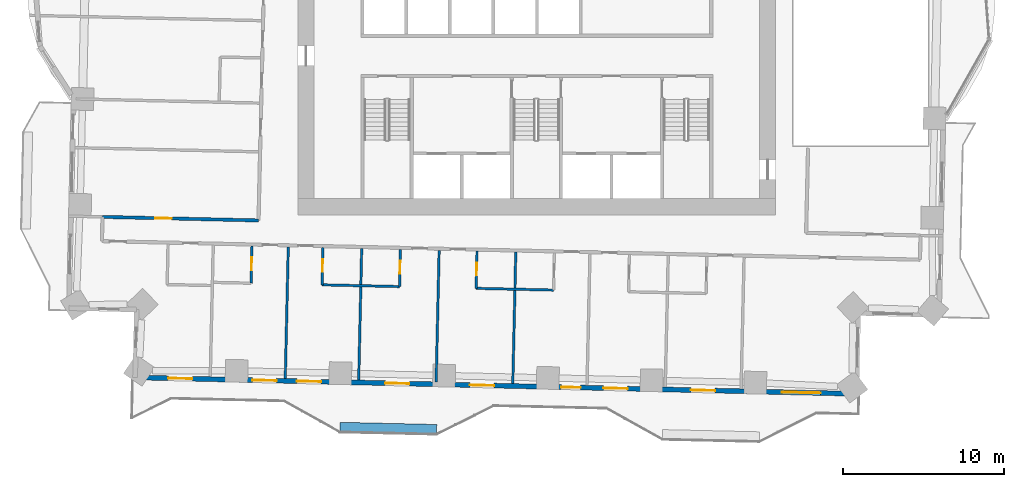
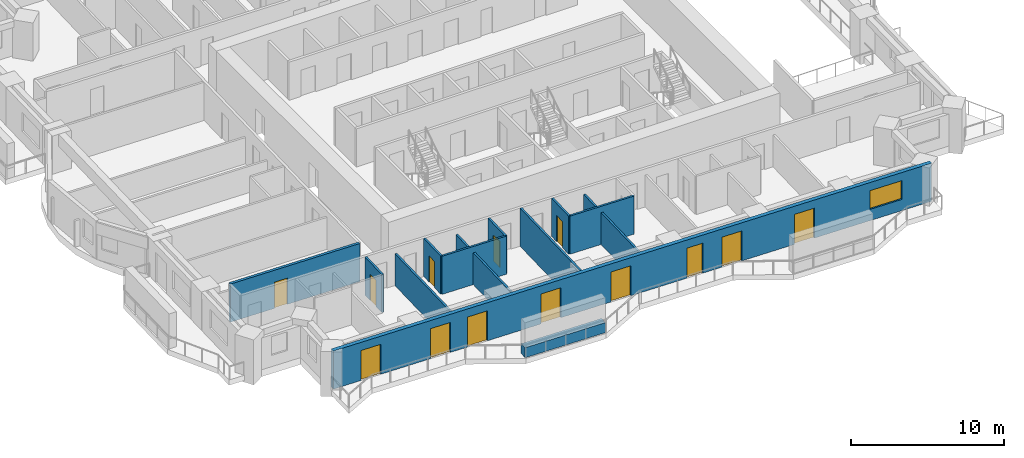
# One storey, part 6 of 16: 13 doors, 13 walls, 1 window, 14 openings.
"""IFC4 building model written with IfcOpenShell, lengths in metres."""

from ifc_helpers import new_model, si_unit, direction, frame, frame_2d, origin, place, context, subcontext, project, spatial, rectangle, extrude, material, layer, layer_set, type_object, element, fill, save


model = new_model("IFC4")

# Units and contexts
model_context = context("Model", 3, precision=1e-05, world=origin(), true_north=direction((0.0, 1.0)))
body_context = subcontext(model_context, "Body", "Model", "MODEL_VIEW")
ifc_project = project(units=[si_unit("LENGTHUNIT", "METRE"), si_unit("AREAUNIT", "SQUARE_METRE"), si_unit("VOLUMEUNIT", "CUBIC_METRE"), si_unit("PLANEANGLEUNIT", "RADIAN"), si_unit("MASSUNIT", "GRAM", prefix="KILO")], contexts=[model_context])

# Site, building, storey
site_placement = place(None, origin())
site = spatial("IfcSite", under=ifc_project, at=site_placement, CompositionType="ELEMENT")
building_placement = place(site_placement, origin())
building = spatial("IfcBuilding", under=site, at=building_placement, Name="Mangrove Gate Tower", CompositionType="ELEMENT")
storey_placement = place(building_placement, frame((0.0, 0.0, 101.89990234375)))
storey = spatial("IfcBuildingStorey", under=building, at=storey_placement, Name="L25", CompositionType="ELEMENT", Elevation=101.89990234375)

# Wall, opening, door
ifc_material_1 = material(Name="Gypsum board on steel stud, EI 60", Category="steel")
ifc_layer_1 = layer(ifc_material_1, 0.199951171875)
ifc_layer_set_1 = layer_set([ifc_layer_1], Name="Corridor wall EI 60")
wall_type_1 = type_object("IfcWallType", Name="Corridor wall EI 60", PredefinedType="PARTITIONING", material=ifc_layer_set_1)
wall_1_placement = place(storey_placement, frame((-26.9189453125, -11.928955078125, 0.0), z_axis=(0.0, 0.0, 1.0), x_axis=(0.999741418429, -0.022739751035, 0.0)))
wall_1 = element("IfcWall", 1, at=wall_1_placement, inside=storey, type_object=wall_type_1, Name="WALL-L25-026", PredefinedType="PARTITIONING", context=body_context, shape_type="SweptSolid", body=[
    extrude(rectangle(XDim=9.67333984375, YDim=0.199951171875, at=frame_2d((4.836669921875, 0.0))), origin(), (0.0, 0.0, 1.0), 3.050048828125),
])
opening_1_placement = place(wall_1_placement, frame((3.287109375, 0.0, 0.0)))
opening_1 = element("IfcOpeningElement", 2, at=opening_1_placement, cuts=wall_1, Name="Opening AD", PredefinedType="OPENING", context=body_context, shape_type="SweptSolid", body=[
    extrude(rectangle(XDim=1.0, YDim=2.10009765625, at=frame_2d((0.5, 1.050048828125))), frame((0.0, 0.10986328125, 0.0), z_axis=(0.0, -1.0, 0.0), x_axis=(1.0, 0.0, 0.0)), (0.0, 0.0, 1.0), 0.219970703125),
])
ifc_material_2 = material(Name="Timber door leaf", Category="wood")
door_type_1 = type_object("IfcDoorType", Name="Amenity door 1000", OperationType="SINGLE_SWING_LEFT", PredefinedType="DOOR", material=ifc_material_2)
door_1_placement = place(opening_1_placement, origin())
door_1 = element("IfcDoor", 3, at=door_1_placement, inside=storey, type_object=door_type_1, Name="DOOR-L25-LNG-c5a", OperationType="SINGLE_SWING_RIGHT", OverallHeight=2.10009765625, OverallWidth=1.0, PredefinedType="DOOR", context=body_context, shape_type="SweptSolid", body=[
    extrude(rectangle(XDim=1.0, YDim=2.10009765625, at=frame_2d((0.5, 1.050048828125))), frame((0.0, 0.02490234375, 0.0), z_axis=(0.0, -1.0, 0.0), x_axis=(1.0, 0.0, 0.0)), (0.0, 0.0, 1.0), 0.050048828125),
])
fill(opening_1, door_1)

# Wall, openings, doors, window
ifc_material_3 = material(Name="Limestone", Category="masonry")
ifc_layer_2 = layer(ifc_material_3, 0.0400390625, Name="Limestone cladding")
ifc_material_4 = material(Name="Ventilated air gap")
ifc_layer_3 = layer(ifc_material_4, 0.0400390625, Name="Ventilated cavity")
ifc_material_5 = material(Name="Mineral wool insulation")
ifc_layer_4 = layer(ifc_material_5, 0.06005859375, Name="Insulation")
ifc_material_6 = material(Name="Breather membrane")
ifc_layer_5 = layer(ifc_material_6, 0.001953125, Name="Breather membrane")
ifc_material_7 = material(Name="Concrete C20/25 blockwork", Category="masonry")
ifc_layer_6 = layer(ifc_material_7, 0.14990234375, Name="Blockwork backing wall")
ifc_material_8 = material(Name="Gypsum plaster")
ifc_layer_7 = layer(ifc_material_8, 0.008056640625, Name="Internal plaster")
ifc_layer_set_2 = layer_set([ifc_layer_2, ifc_layer_3, ifc_layer_4, ifc_layer_5, ifc_layer_6, ifc_layer_7], Name="External wall 300 limestone cladding")
wall_type_2 = type_object("IfcWallType", Name="External wall 300 limestone cladding", PredefinedType="SOLIDWALL", material=ifc_layer_set_2)
wall_2_placement = place(storey_placement, frame((-24.89404296875, -21.8779296875, 0.0), z_axis=(0.0, 0.0, 1.0), x_axis=(0.999742689045, -0.022683820265, 0.0)))
wall_2 = element("IfcWall", 4, at=wall_2_placement, inside=storey, type_object=wall_type_2, Name="WALL-L25-S13", PredefinedType="SOLIDWALL", context=body_context, shape_type="SweptSolid", body=[
    extrude(rectangle(XDim=44.70849609375, YDim=0.300048828125, at=frame_2d((22.354248046875, 0.0))), origin(), (0.0, 0.0, 1.0), 3.050048828125),
])
opening_2_placement = place(wall_2_placement, frame((2.051025390625, 0.0, 0.0)))
opening_2 = element("IfcOpeningElement", 5, at=opening_2_placement, cuts=wall_2, Name="Opening BD1", PredefinedType="OPENING", context=body_context, shape_type="SweptSolid", body=[
    extrude(rectangle(XDim=1.5, YDim=2.39990234375, at=frame_2d((0.75, 1.199951171875))), frame((0.0, 0.159912109375, 0.0), z_axis=(0.0, -1.0, 0.0), x_axis=(1.0, 0.0, 0.0)), (0.0, 0.0, 1.0), 0.320068359375),
])
opening_3_placement = place(wall_2_placement, frame((7.264892578125, 0.0, 0.0)))
opening_3 = element("IfcOpeningElement", 6, at=opening_3_placement, cuts=wall_2, Name="Opening BD1", PredefinedType="OPENING", context=body_context, shape_type="SweptSolid", body=[
    extrude(rectangle(XDim=1.5, YDim=2.39990234375, at=frame_2d((0.75, 1.199951171875))), frame((0.0, 0.159912109375, 0.0), z_axis=(0.0, -1.0, 0.0), x_axis=(1.0, 0.0, 0.0)), (0.0, 0.0, 1.0), 0.320068359375),
])
opening_4_placement = place(wall_2_placement, frame((10.030029296875, 0.0, 0.0)))
opening_4 = element("IfcOpeningElement", 7, at=opening_4_placement, cuts=wall_2, Name="Opening BD1", PredefinedType="OPENING", context=body_context, shape_type="SweptSolid", body=[
    extrude(rectangle(XDim=1.5, YDim=2.39990234375, at=frame_2d((0.75, 1.199951171875))), frame((0.0, 0.159912109375, 0.0), z_axis=(0.0, -1.0, 0.0), x_axis=(1.0, 0.0, 0.0)), (0.0, 0.0, 1.0), 0.320068359375),
])
opening_5_placement = place(wall_2_placement, frame((15.5, 0.0, 0.0)))
opening_5 = element("IfcOpeningElement", 8, at=opening_5_placement, cuts=wall_2, Name="Opening BD1", PredefinedType="OPENING", context=body_context, shape_type="SweptSolid", body=[
    extrude(rectangle(XDim=1.5, YDim=2.39990234375, at=frame_2d((0.75, 1.199951171875))), frame((0.0, 0.159912109375, 0.0), z_axis=(0.0, -1.0, 0.0), x_axis=(1.0, 0.0, 0.0)), (0.0, 0.0, 1.0), 0.320068359375),
])
opening_6_placement = place(wall_2_placement, frame((20.7451171875, 0.0, 0.0)))
opening_6 = element("IfcOpeningElement", 9, at=opening_6_placement, cuts=wall_2, Name="Opening BD1", PredefinedType="OPENING", context=body_context, shape_type="SweptSolid", body=[
    extrude(rectangle(XDim=1.5, YDim=2.39990234375, at=frame_2d((0.75, 1.199951171875))), frame((0.0, 0.159912109375, 0.0), z_axis=(0.0, -1.0, 0.0), x_axis=(1.0, 0.0, 0.0)), (0.0, 0.0, 1.0), 0.320068359375),
])
opening_7_placement = place(wall_2_placement, frame((26.409912109375, 0.0, 0.0)))
opening_7 = element("IfcOpeningElement", 10, at=opening_7_placement, cuts=wall_2, Name="Opening BD2", PredefinedType="OPENING", context=body_context, shape_type="SweptSolid", body=[
    extrude(rectangle(XDim=1.199951171875, YDim=2.39990234375, at=frame_2d((0.60009765625, 1.199951171875))), frame((0.0, 0.159912109375, 0.0), z_axis=(0.0, -1.0, 0.0), x_axis=(1.0, 0.0, 0.0)), (0.0, 0.0, 1.0), 0.320068359375),
])
opening_8_placement = place(wall_2_placement, frame((29.02392578125, 0.0, 0.0)))
opening_8 = element("IfcOpeningElement", 11, at=opening_8_placement, cuts=wall_2, Name="Opening BD1", PredefinedType="OPENING", context=body_context, shape_type="SweptSolid", body=[
    extrude(rectangle(XDim=1.5, YDim=2.39990234375, at=frame_2d((0.75, 1.199951171875))), frame((0.0, 0.159912109375, 0.0), z_axis=(0.0, -1.0, 0.0), x_axis=(1.0, 0.0, 0.0)), (0.0, 0.0, 1.0), 0.320068359375),
])
opening_9_placement = place(wall_2_placement, frame((34.449951171875, 0.0, 0.0)))
opening_9 = element("IfcOpeningElement", 12, at=opening_9_placement, cuts=wall_2, Name="Opening BD1", PredefinedType="OPENING", context=body_context, shape_type="SweptSolid", body=[
    extrude(rectangle(XDim=1.5, YDim=2.39990234375, at=frame_2d((0.75, 1.199951171875))), frame((0.0, 0.159912109375, 0.0), z_axis=(0.0, -1.0, 0.0), x_axis=(1.0, 0.0, 0.0)), (0.0, 0.0, 1.0), 0.320068359375),
])
opening_10_placement = place(wall_2_placement, frame((40.0869140625, 0.0, 0.89990234375)))
opening_10 = element("IfcOpeningElement", 13, at=opening_10_placement, cuts=wall_2, Name="Opening W2", PredefinedType="OPENING", context=body_context, shape_type="SweptSolid", body=[
    extrude(rectangle(XDim=2.39990234375, YDim=1.5, at=frame_2d((1.199951171875, 0.75))), frame((0.0, 0.159912109375, 0.0), z_axis=(0.0, -1.0, 0.0), x_axis=(1.0, 0.0, 0.0)), (0.0, 0.0, 1.0), 0.320068359375),
])
ifc_material_9 = material(Name="Aluminium frame with laminated clear glass", Category="aluminium")
door_type_2 = type_object("IfcDoorType", Name="Balcony sliding door 1200x2400", OperationType="SLIDING_TO_LEFT", PredefinedType="DOOR", material=ifc_material_9)
door_2_placement = place(opening_7_placement, origin())
door_2 = element("IfcDoor", 14, at=door_2_placement, inside=storey, type_object=door_type_2, Name="DOOR-L25-S13-6", OperationType="SLIDING_TO_LEFT", OverallHeight=2.39990234375, OverallWidth=1.199951171875, PredefinedType="DOOR", context=body_context, shape_type="SweptSolid", body=[
    extrude(rectangle(XDim=1.199951171875, YDim=2.39990234375, at=frame_2d((0.60009765625, 1.199951171875))), frame((0.0, 0.02490234375, 0.0), z_axis=(0.0, -1.0, 0.0), x_axis=(1.0, 0.0, 0.0)), (0.0, 0.0, 1.0), 0.050048828125),
])
fill(opening_7, door_2)
ifc_material_10 = material(Name="Aluminium frame with laminated clear glass", Category="aluminium")
door_type_3 = type_object("IfcDoorType", Name="Balcony sliding door 1500x2400", OperationType="SLIDING_TO_LEFT", PredefinedType="DOOR", material=ifc_material_10)
door_3_placement = place(opening_2_placement, origin())
door_3 = element("IfcDoor", 15, at=door_3_placement, inside=storey, type_object=door_type_3, Name="DOOR-L25-S13-1", OperationType="SLIDING_TO_LEFT", OverallHeight=2.39990234375, OverallWidth=1.5, PredefinedType="DOOR", context=body_context, shape_type="SweptSolid", body=[
    extrude(rectangle(XDim=1.5, YDim=2.39990234375, at=frame_2d((0.75, 1.199951171875))), frame((0.0, 0.02490234375, 0.0), z_axis=(0.0, -1.0, 0.0), x_axis=(1.0, 0.0, 0.0)), (0.0, 0.0, 1.0), 0.050048828125),
])
fill(opening_2, door_3)
door_4_placement = place(opening_3_placement, origin())
door_4 = element("IfcDoor", 16, at=door_4_placement, inside=storey, type_object=door_type_3, Name="DOOR-L25-S13-2", OperationType="SLIDING_TO_LEFT", OverallHeight=2.39990234375, OverallWidth=1.5, PredefinedType="DOOR", context=body_context, shape_type="SweptSolid", body=[
    extrude(rectangle(XDim=1.5, YDim=2.39990234375, at=frame_2d((0.75, 1.199951171875))), frame((0.0, 0.02490234375, 0.0), z_axis=(0.0, -1.0, 0.0), x_axis=(1.0, 0.0, 0.0)), (0.0, 0.0, 1.0), 0.050048828125),
])
fill(opening_3, door_4)
door_5_placement = place(opening_4_placement, origin())
door_5 = element("IfcDoor", 17, at=door_5_placement, inside=storey, type_object=door_type_3, Name="DOOR-L25-S13-3", OperationType="SLIDING_TO_LEFT", OverallHeight=2.39990234375, OverallWidth=1.5, PredefinedType="DOOR", context=body_context, shape_type="SweptSolid", body=[
    extrude(rectangle(XDim=1.5, YDim=2.39990234375, at=frame_2d((0.75, 1.199951171875))), frame((0.0, 0.02490234375, 0.0), z_axis=(0.0, -1.0, 0.0), x_axis=(1.0, 0.0, 0.0)), (0.0, 0.0, 1.0), 0.050048828125),
])
fill(opening_4, door_5)
door_6_placement = place(opening_5_placement, origin())
door_6 = element("IfcDoor", 18, at=door_6_placement, inside=storey, type_object=door_type_3, Name="DOOR-L25-S13-4", OperationType="SLIDING_TO_LEFT", OverallHeight=2.39990234375, OverallWidth=1.5, PredefinedType="DOOR", context=body_context, shape_type="SweptSolid", body=[
    extrude(rectangle(XDim=1.5, YDim=2.39990234375, at=frame_2d((0.75, 1.199951171875))), frame((0.0, 0.02490234375, 0.0), z_axis=(0.0, -1.0, 0.0), x_axis=(1.0, 0.0, 0.0)), (0.0, 0.0, 1.0), 0.050048828125),
])
fill(opening_5, door_6)
door_7_placement = place(opening_6_placement, origin())
door_7 = element("IfcDoor", 19, at=door_7_placement, inside=storey, type_object=door_type_3, Name="DOOR-L25-S13-5", OperationType="SLIDING_TO_LEFT", OverallHeight=2.39990234375, OverallWidth=1.5, PredefinedType="DOOR", context=body_context, shape_type="SweptSolid", body=[
    extrude(rectangle(XDim=1.5, YDim=2.39990234375, at=frame_2d((0.75, 1.199951171875))), frame((0.0, 0.02490234375, 0.0), z_axis=(0.0, -1.0, 0.0), x_axis=(1.0, 0.0, 0.0)), (0.0, 0.0, 1.0), 0.050048828125),
])
fill(opening_6, door_7)
door_8_placement = place(opening_8_placement, origin())
door_8 = element("IfcDoor", 20, at=door_8_placement, inside=storey, type_object=door_type_3, Name="DOOR-L25-S13-7", OperationType="SLIDING_TO_LEFT", OverallHeight=2.39990234375, OverallWidth=1.5, PredefinedType="DOOR", context=body_context, shape_type="SweptSolid", body=[
    extrude(rectangle(XDim=1.5, YDim=2.39990234375, at=frame_2d((0.75, 1.199951171875))), frame((0.0, 0.02490234375, 0.0), z_axis=(0.0, -1.0, 0.0), x_axis=(1.0, 0.0, 0.0)), (0.0, 0.0, 1.0), 0.050048828125),
])
fill(opening_8, door_8)
door_9_placement = place(opening_9_placement, origin())
door_9 = element("IfcDoor", 21, at=door_9_placement, inside=storey, type_object=door_type_3, Name="DOOR-L25-S13-8", OperationType="SLIDING_TO_LEFT", OverallHeight=2.39990234375, OverallWidth=1.5, PredefinedType="DOOR", context=body_context, shape_type="SweptSolid", body=[
    extrude(rectangle(XDim=1.5, YDim=2.39990234375, at=frame_2d((0.75, 1.199951171875))), frame((0.0, 0.02490234375, 0.0), z_axis=(0.0, -1.0, 0.0), x_axis=(1.0, 0.0, 0.0)), (0.0, 0.0, 1.0), 0.050048828125),
])
fill(opening_9, door_9)
ifc_material_11 = material(Name="Aluminium frame with double-glazed low-e glass", Category="aluminium")
window_type = type_object("IfcWindowType", Name="Corner room window 2400x1500", PartitioningType="DOUBLE_PANEL_VERTICAL", PredefinedType="WINDOW", material=ifc_material_11)
window_placement = place(opening_10_placement, origin())
window = element("IfcWindow", 22, at=window_placement, inside=storey, type_object=window_type, Name="WIN-L25-S13-9", OverallHeight=1.5, OverallWidth=2.39990234375, PartitioningType="DOUBLE_PANEL_VERTICAL", PredefinedType="WINDOW", context=body_context, shape_type="SweptSolid", body=[
    extrude(rectangle(XDim=2.39990234375, YDim=1.5, at=frame_2d((1.199951171875, 0.75))), frame((0.0, 0.030029296875, 0.0), z_axis=(0.0, -1.0, 0.0), x_axis=(1.0, 0.0, 0.0)), (0.0, 0.0, 1.0), 0.06005859375),
])
fill(opening_10, window)

# Walls
ifc_material_12 = material(Name="Gypsum board on steel stud, EI 60", Category="steel")
ifc_layer_8 = layer(ifc_material_12, 0.14990234375)
ifc_layer_set_3 = layer_set([ifc_layer_8], Name="Party wall 150 EI 60")
wall_type_3 = type_object("IfcWallType", Name="Party wall 150 EI 60", PredefinedType="PARTITIONING", material=ifc_layer_set_3)
for number, where, z_axis, x_axis, name in (
    (23, (-15.589111328125, -21.93896484375, 0.0), (0.0, 0.0, 1.0), (0.022706435224, 0.999742175663, 0.0), "WALL-L25-002"),
    (24, (-11.0400390625, -22.0419921875, 0.0), (0.0, 0.0, 1.0), (0.022706435224, 0.999742175663, 0.0), "WALL-L25-003"),
):
    element("IfcWall", number, at=place(storey_placement, frame(where, z_axis=z_axis, x_axis=x_axis)), inside=storey, type_object=wall_type_3, Name=name, PredefinedType="PARTITIONING", context=body_context, shape_type="SweptSolid", body=[
        extrude(rectangle(XDim=8.150146484375, YDim=0.14990234375, at=frame_2d((4.0751953125, 0.0))), origin(), (0.0, 0.0, 1.0), 2.550048828125),
    ])
wall_3_placement = place(storey_placement, frame((-6.240966796875, -22.15087890625, 0.0), z_axis=(0.0, 0.0, 1.0), x_axis=(0.022706435224, 0.999742175663, 0.0)))
element("IfcWall", 25, at=wall_3_placement, inside=storey, type_object=wall_type_3, Name="WALL-L25-004", PredefinedType="PARTITIONING", context=body_context, shape_type="SweptSolid", body=[
    extrude(rectangle(XDim=8.150146484375, YDim=0.14990234375, at=frame_2d((4.0751953125, 0.0))), origin(), (0.0, 0.0, 1.0), 3.050048828125),
])
wall_4_placement = place(storey_placement, frame((-1.491943359375, -22.259033203125, 0.0), z_axis=(0.0, 0.0, 1.0), x_axis=(0.022706435224, 0.999742175663, 0.0)))
element("IfcWall", 26, at=wall_4_placement, inside=storey, type_object=wall_type_3, Name="WALL-L25-005", PredefinedType="PARTITIONING", context=body_context, shape_type="SweptSolid", body=[
    extrude(rectangle(XDim=8.150146484375, YDim=0.14990234375, at=frame_2d((4.0751953125, 0.0))), origin(), (0.0, 0.0, 1.0), 2.550048828125),
])

# Wall, opening, door
wall_5_placement = place(storey_placement, frame((-17.705078125, -16.0390625, 0.0), z_axis=(0.0, 0.0, 1.0), x_axis=(0.022612884682, 0.999744296031, 0.0)))
wall_5 = element("IfcWall", 27, at=wall_5_placement, inside=storey, type_object=wall_type_3, Name="WALL-L25-012", PredefinedType="PARTITIONING", context=body_context, shape_type="SweptSolid", body=[
    extrude(rectangle(XDim=2.299560546875, YDim=0.14990234375, at=frame_2d((1.14990234375, 0.0))), origin(), (0.0, 0.0, 1.0), 3.050048828125),
])
opening_11_placement = place(wall_5_placement, frame((0.800048828125, 0.0, 0.0)))
opening_11 = element("IfcOpeningElement", 28, at=opening_11_placement, cuts=wall_5, Name="Opening ED", PredefinedType="OPENING", context=body_context, shape_type="SweptSolid", body=[
    extrude(rectangle(XDim=0.800048828125, YDim=2.10009765625, at=frame_2d((0.39990234375, 1.050048828125))), frame((0.0, 0.0849609375, 0.0), z_axis=(0.0, -1.0, 0.0), x_axis=(1.0, 0.0, 0.0)), (0.0, 0.0, 1.0), 0.169921875),
])
ifc_material_13 = material(Name="Timber door leaf", Category="wood")
door_type_4 = type_object("IfcDoorType", Name="En-suite door 800", OperationType="SINGLE_SWING_LEFT", PredefinedType="DOOR", material=ifc_material_13)
door_10_placement = place(opening_11_placement, origin())
door_10 = element("IfcDoor", 29, at=door_10_placement, inside=storey, type_object=door_type_4, Name="DOOR-L25-ENS-c101", OperationType="SINGLE_SWING_LEFT", OverallHeight=2.10009765625, OverallWidth=0.800048828125, PredefinedType="DOOR", context=body_context, shape_type="SweptSolid", body=[
    extrude(rectangle(XDim=0.800048828125, YDim=2.10009765625, at=frame_2d((0.39990234375, 1.050048828125))), frame((0.0, 0.02490234375, 0.0), z_axis=(0.0, -1.0, 0.0), x_axis=(1.0, 0.0, 0.0)), (0.0, 0.0, 1.0), 0.050048828125),
])
fill(opening_11, door_10)

# Wall
wall_6_placement = place(storey_placement, frame((-13.31103515625, -16.138916015625, 0.0), z_axis=(0.0, 0.0, 1.0), x_axis=(0.99974154664, -0.022734113616, 0.0)))
element("IfcWall", 30, at=wall_6_placement, inside=storey, type_object=wall_type_3, Name="WALL-L25-013", PredefinedType="PARTITIONING", context=body_context, shape_type="SweptSolid", body=[
    extrude(rectangle(XDim=4.80029296875, YDim=0.14990234375, at=frame_2d((2.400146484375, 0.0))), origin(), (0.0, 0.0, 1.0), 3.050048828125),
])

# Wall, opening, door
wall_7_placement = place(storey_placement, frame((-13.306884765625, -16.138916015625, 0.0), z_axis=(0.0, 0.0, 1.0), x_axis=(0.023039761813, 0.999734549456, 0.0)))
wall_7 = element("IfcWall", 31, at=wall_7_placement, inside=storey, type_object=wall_type_3, Name="WALL-L25-014", PredefinedType="PARTITIONING", context=body_context, shape_type="SweptSolid", body=[
    extrude(rectangle(XDim=2.299560546875, YDim=0.14990234375, at=frame_2d((1.14990234375, 0.0))), origin(), (0.0, 0.0, 1.0), 3.050048828125),
])
opening_12_placement = place(wall_7_placement, frame((0.800048828125, 0.0, 0.0)))
opening_12 = element("IfcOpeningElement", 32, at=opening_12_placement, cuts=wall_7, Name="Opening ED", PredefinedType="OPENING", context=body_context, shape_type="SweptSolid", body=[
    extrude(rectangle(XDim=0.800048828125, YDim=2.10009765625, at=frame_2d((0.39990234375, 1.050048828125))), frame((0.0, 0.0849609375, 0.0), z_axis=(0.0, -1.0, 0.0), x_axis=(1.0, 0.0, 0.0)), (0.0, 0.0, 1.0), 0.169921875),
])
door_11_placement = place(opening_12_placement, origin())
door_11 = element("IfcDoor", 33, at=door_11_placement, inside=storey, type_object=door_type_4, Name="DOOR-L25-ENS-c102", OperationType="SINGLE_SWING_RIGHT", OverallHeight=2.10009765625, OverallWidth=0.800048828125, PredefinedType="DOOR", context=body_context, shape_type="SweptSolid", body=[
    extrude(rectangle(XDim=0.800048828125, YDim=2.10009765625, at=frame_2d((0.39990234375, 1.050048828125))), frame((0.0, 0.02490234375, 0.0), z_axis=(0.0, -1.0, 0.0), x_axis=(1.0, 0.0, 0.0)), (0.0, 0.0, 1.0), 0.050048828125),
])
fill(opening_12, door_11)

wall_8_placement = place(storey_placement, frame((-8.508056640625, -16.248046875, 0.0), z_axis=(0.0, 0.0, 1.0), x_axis=(0.022603288534, 0.999744513037, 0.0)))
wall_8 = element("IfcWall", 34, at=wall_8_placement, inside=storey, type_object=wall_type_3, Name="WALL-L25-015", PredefinedType="PARTITIONING", context=body_context, shape_type="SweptSolid", body=[
    extrude(rectangle(XDim=2.300537109375, YDim=0.14990234375, at=frame_2d((1.150390625, 0.0))), origin(), (0.0, 0.0, 1.0), 3.050048828125),
])
opening_13_placement = place(wall_8_placement, frame((0.800048828125, 0.0, 0.0)))
opening_13 = element("IfcOpeningElement", 35, at=opening_13_placement, cuts=wall_8, Name="Opening ED", PredefinedType="OPENING", context=body_context, shape_type="SweptSolid", body=[
    extrude(rectangle(XDim=0.800048828125, YDim=2.10009765625, at=frame_2d((0.39990234375, 1.050048828125))), frame((0.0, 0.0849609375, 0.0), z_axis=(0.0, -1.0, 0.0), x_axis=(1.0, 0.0, 0.0)), (0.0, 0.0, 1.0), 0.169921875),
])
door_12_placement = place(opening_13_placement, origin())
door_12 = element("IfcDoor", 36, at=door_12_placement, inside=storey, type_object=door_type_4, Name="DOOR-L25-ENS-c103", OperationType="SINGLE_SWING_LEFT", OverallHeight=2.10009765625, OverallWidth=0.800048828125, PredefinedType="DOOR", context=body_context, shape_type="SweptSolid", body=[
    extrude(rectangle(XDim=0.800048828125, YDim=2.10009765625, at=frame_2d((0.39990234375, 1.050048828125))), frame((0.0, 0.02490234375, 0.0), z_axis=(0.0, -1.0, 0.0), x_axis=(1.0, 0.0, 0.0)), (0.0, 0.0, 1.0), 0.050048828125),
])
fill(opening_13, door_12)

# Wall
wall_9_placement = place(storey_placement, frame((-3.762939453125, -16.35595703125, 0.0), z_axis=(0.0, 0.0, 1.0), x_axis=(0.999746123934, -0.022531925768, 0.0)))
element("IfcWall", 37, at=wall_9_placement, inside=storey, type_object=wall_type_3, Name="WALL-L25-016", PredefinedType="PARTITIONING", context=body_context, shape_type="SweptSolid", body=[
    extrude(rectangle(XDim=4.800048828125, YDim=0.14990234375, at=frame_2d((2.39990234375, 0.0))), origin(), (0.0, 0.0, 1.0), 3.050048828125),
])

# Wall, opening, door
wall_10_placement = place(storey_placement, frame((-3.759033203125, -16.35595703125, 0.0), z_axis=(0.0, 0.0, 1.0), x_axis=(0.022603288534, 0.999744513037, 0.0)))
wall_10 = element("IfcWall", 38, at=wall_10_placement, inside=storey, type_object=wall_type_3, Name="WALL-L25-017", PredefinedType="PARTITIONING", context=body_context, shape_type="SweptSolid", body=[
    extrude(rectangle(XDim=2.300537109375, YDim=0.14990234375, at=frame_2d((1.150390625, 0.0))), origin(), (0.0, 0.0, 1.0), 3.050048828125),
])
opening_14_placement = place(wall_10_placement, frame((0.800048828125, 0.0, 0.0)))
opening_14 = element("IfcOpeningElement", 39, at=opening_14_placement, cuts=wall_10, Name="Opening ED", PredefinedType="OPENING", context=body_context, shape_type="SweptSolid", body=[
    extrude(rectangle(XDim=0.800048828125, YDim=2.10009765625, at=frame_2d((0.39990234375, 1.050048828125))), frame((0.0, 0.0849609375, 0.0), z_axis=(0.0, -1.0, 0.0), x_axis=(1.0, 0.0, 0.0)), (0.0, 0.0, 1.0), 0.169921875),
])
door_13_placement = place(opening_14_placement, origin())
door_13 = element("IfcDoor", 40, at=door_13_placement, inside=storey, type_object=door_type_4, Name="DOOR-L25-ENS-c204", OperationType="SINGLE_SWING_RIGHT", OverallHeight=2.10009765625, OverallWidth=0.800048828125, PredefinedType="DOOR", context=body_context, shape_type="SweptSolid", body=[
    extrude(rectangle(XDim=0.800048828125, YDim=2.10009765625, at=frame_2d((0.39990234375, 1.050048828125))), frame((0.0, 0.02490234375, 0.0), z_axis=(0.0, -1.0, 0.0), x_axis=(1.0, 0.0, 0.0)), (0.0, 0.0, 1.0), 0.050048828125),
])
fill(opening_14, door_13)

# Wall
ifc_material_14 = material(Name="Concrete C32/40", Category="concrete")
ifc_layer_9 = layer(ifc_material_14, 0.199951171875, Name="Planter trough wall")
ifc_material_15 = material(Name="Bituminous waterproofing membrane")
ifc_layer_10 = layer(ifc_material_15, 0.0048828125, Name="Waterproofing")
ifc_material_16 = material(Name="Drainage board and gravel")
ifc_layer_11 = layer(ifc_material_16, 0.044921875, Name="Drainage layer")
ifc_material_17 = material(Name="Planting soil")
ifc_layer_12 = layer(ifc_material_17, 0.300048828125, Name="Growing medium")
ifc_layer_set_4 = layer_set([ifc_layer_9, ifc_layer_10, ifc_layer_11, ifc_layer_12], Name="Planter wall 550 C32/40")
wall_type_4 = type_object("IfcWallType", Name="Planter wall 550 C32/40", PredefinedType="USERDEFINED", material=ifc_layer_set_4)
wall_11_placement = place(storey_placement, frame((-12.2060546875, -24.930908203125, 0.0), z_axis=(0.0, 0.0, 1.0), x_axis=(0.999743094499, -0.022665943652, 0.0)))
element("IfcWall", 41, at=wall_11_placement, inside=storey, type_object=wall_type_4, Name="PLANTER L25 S0.1", ObjectType="PLANTER", PredefinedType="USERDEFINED", context=body_context, shape_type="SweptSolid", body=[
    extrude(rectangle(XDim=5.99951171875, YDim=0.550048828125, at=frame_2d((2.999755859375, 0.0))), origin(), (0.0, 0.0, 1.0), 0.800048828125),
])

save(model, "model.ifc")
